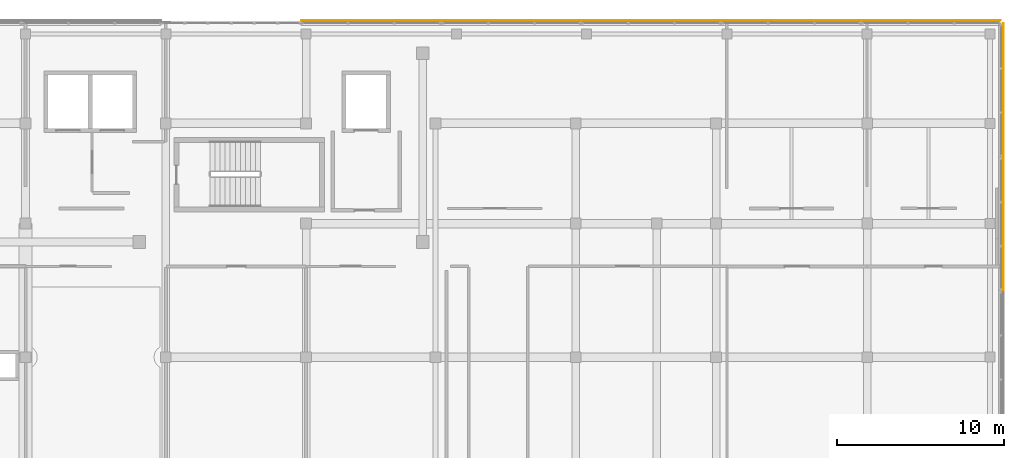
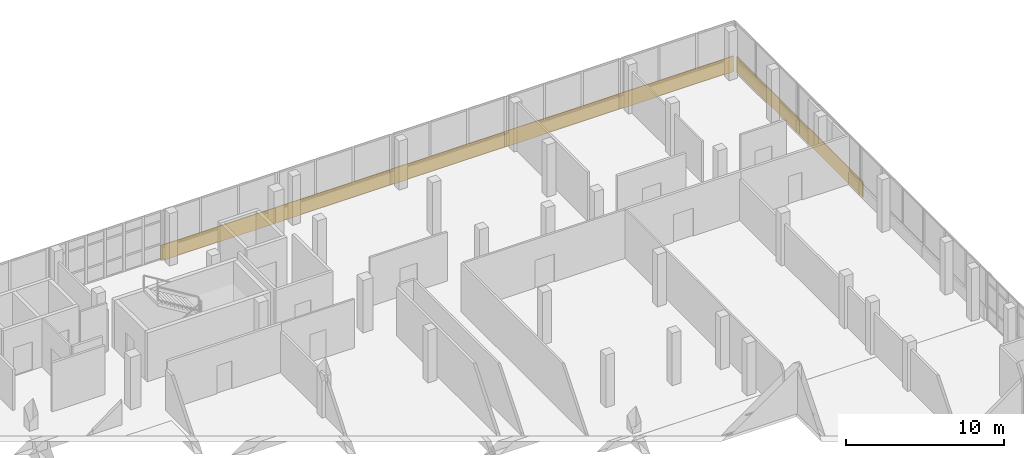
# One storey, part 78 of 78: 7 coverings.
"""IFC4 building model written with IfcOpenShell, lengths in metres."""

from ifc_helpers import new_model, si_unit, direction, frame, origin, origin_2d, place, context, subcontext, project, spatial, rectangle, extrude, material, layer, layer_set, type_object, element, save


model = new_model("IFC4")

# Units and contexts
model_context = context("Model", 3, precision=1e-05, world=origin(), true_north=direction((0.0, 1.0)))
body_context = subcontext(model_context, "Body", "Model", "MODEL_VIEW")
ifc_project = project(units=[si_unit("LENGTHUNIT", "METRE"), si_unit("AREAUNIT", "SQUARE_METRE"), si_unit("VOLUMEUNIT", "CUBIC_METRE"), si_unit("PLANEANGLEUNIT", "RADIAN"), si_unit("MASSUNIT", "GRAM", prefix="KILO")], contexts=[model_context])

# Site, building, storey
site_placement = place(None, origin())
site = spatial("IfcSite", under=ifc_project, at=site_placement, CompositionType="ELEMENT")
building_placement = place(site_placement, origin())
building = spatial("IfcBuilding", under=site, at=building_placement, Name="Selatvlak General Hospital", CompositionType="ELEMENT")
storey_placement = place(building_placement, frame((0.0, 0.0, 23.25)))
storey = spatial("IfcBuildingStorey", under=building, at=storey_placement, Name="L05", CompositionType="ELEMENT", Elevation=23.25)

# Coverings
ifc_material = material(Name="White Bauhaus fair-faced cladding panel")
ifc_layer = layer(ifc_material, 0.054931640625, Name="White Bauhaus fair-faced cladding panel")
ifc_layer_set = layer_set([ifc_layer], Name="White Bauhaus fair-faced cladding panel")
covering_type = type_object("IfcCoveringType", Name="COV-WHT1", PredefinedType="CLADDING", material=ifc_layer_set)
covering_1_placement = place(storey_placement, frame((144.2939453125, 120.1650390625, -0.27978515625), z_axis=(0.0, 0.0, 1.0), x_axis=(1.0, 0.0, 0.0)))
element("IfcCovering", 1, at=covering_1_placement, inside=storey, type_object=covering_type, Name="L05 Bauhaus horizontal white spandrel band 0415", PredefinedType="CLADDING", context=body_context, shape_type="SweptSolid", body=[
    extrude(rectangle(XDim=8.3779296875, YDim=0.054931640625, at=origin_2d()), origin(), (0.0, 0.0, 1.0), 1.219970703125),
])
for number, where, z_axis, x_axis, name in (
    (2, (152.673095703125, 120.1650390625, -0.27978515625), (0.0, 0.0, 1.0), (1.0, 0.0, 0.0), "L05 Bauhaus horizontal white spandrel band 0416"),
    (3, (161.052001953125, 120.1650390625, -0.27978515625), (0.0, 0.0, 1.0), (1.0, 0.0, 0.0), "L05 Bauhaus horizontal white spandrel band 0417"),
    (4, (169.429931640625, 120.1650390625, -0.27978515625), (0.0, 0.0, 1.0), (1.0, 0.0, 0.0), "L05 Bauhaus horizontal white spandrel band 0418"),
    (5, (177.81005859375, 120.1650390625, -0.27978515625), (0.0, 0.0, 1.0), (1.0, 0.0, 0.0), "L05 Bauhaus horizontal white spandrel band 0419"),
):
    element("IfcCovering", number, at=place(storey_placement, frame(where, z_axis=z_axis, x_axis=x_axis)), inside=storey, type_object=covering_type, Name=name, PredefinedType="CLADDING", context=body_context, shape_type="SweptSolid", body=[
        extrude(rectangle(XDim=8.37890625, YDim=0.054931640625, at=origin_2d()), origin(), (0.0, 0.0, 1.0), 1.219970703125),
    ])
covering_2_placement = place(storey_placement, frame((182.1640625, 116.0, -0.27978515625), z_axis=(0.0, 0.0, 1.0), x_axis=(0.0, -1.0, 0.0)))
element("IfcCovering", 6, at=covering_2_placement, inside=storey, type_object=covering_type, Name="L05 Bauhaus horizontal white spandrel band 0420", PredefinedType="CLADDING", context=body_context, shape_type="SweptSolid", body=[
    extrude(rectangle(XDim=8.0, YDim=0.054931640625, at=origin_2d()), origin(), (0.0, 0.0, 1.0), 1.219970703125),
])
covering_3_placement = place(storey_placement, frame((182.1640625, 108.0009765625, -0.27978515625), z_axis=(0.0, 0.0, 1.0), x_axis=(0.000122173047, -0.999999992537, 0.0)))
element("IfcCovering", 7, at=covering_3_placement, inside=storey, type_object=covering_type, Name="L05 Bauhaus horizontal white spandrel band 0421", PredefinedType="CLADDING", context=body_context, shape_type="SweptSolid", body=[
    extrude(rectangle(XDim=7.9990234375, YDim=0.054931640625, at=origin_2d()), origin(), (0.0, 0.0, 1.0), 1.219970703125),
])

save(model, "model.ifc")
